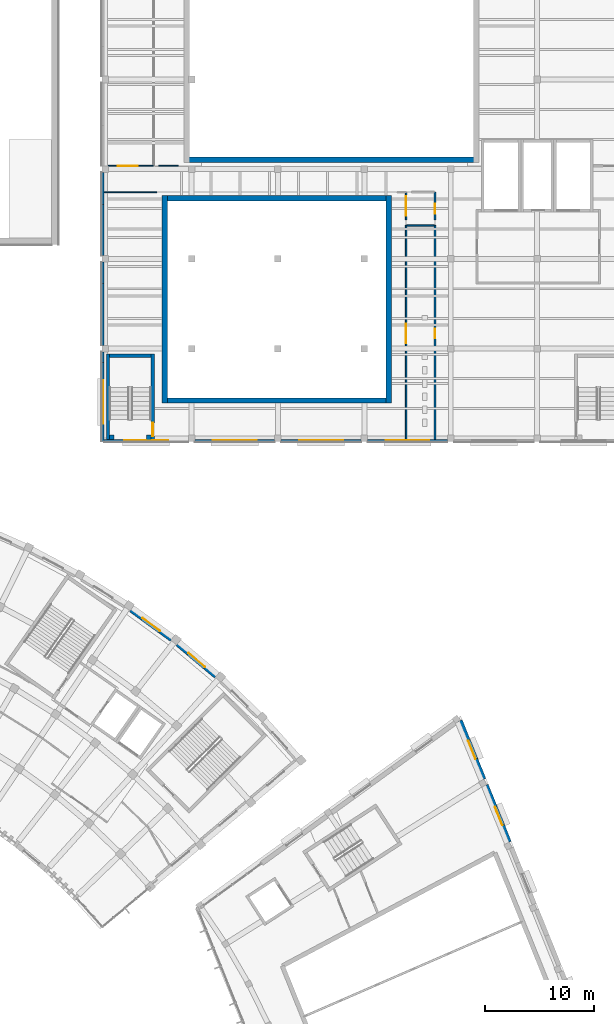
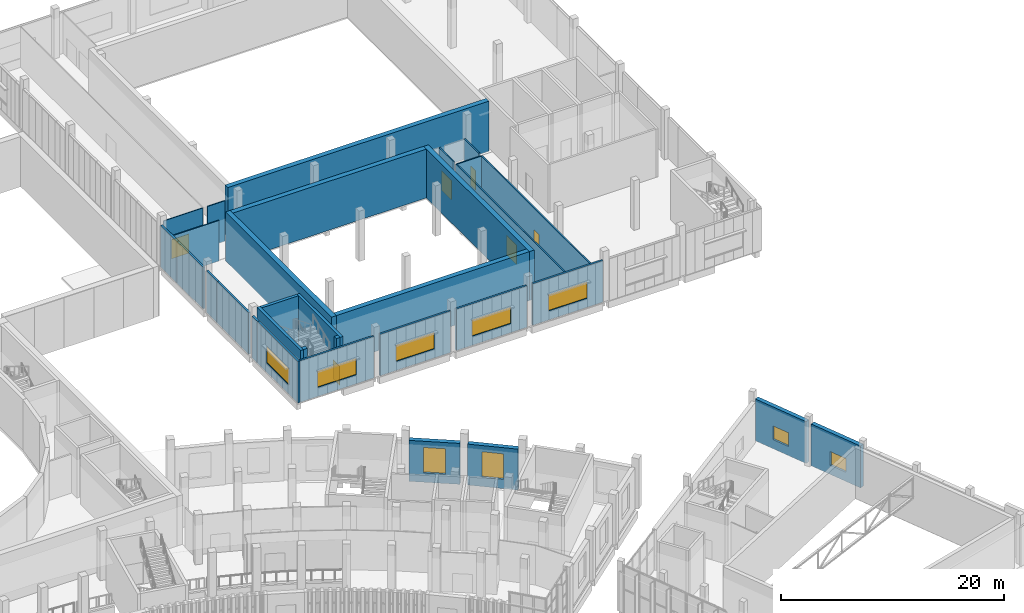
# One storey, part 63 of 112: 32 walls, 9 windows, 6 doors, 15 openings.
"""IFC4 building model written with IfcOpenShell, lengths in metres."""

from ifc_helpers import new_model, si_unit, direction, frame, frame_2d, origin, place, context, subcontext, project, spatial, rectangle, extrude, material, layer, layer_set, type_object, element, fill, save


model = new_model("IFC4")

# Units and contexts
model_context = context("Model", 3, precision=1e-05, world=origin(), true_north=direction((0.0, 1.0)))
body_context = subcontext(model_context, "Body", "Model", "MODEL_VIEW")
ifc_project = project(units=[si_unit("LENGTHUNIT", "METRE"), si_unit("AREAUNIT", "SQUARE_METRE"), si_unit("VOLUMEUNIT", "CUBIC_METRE"), si_unit("PLANEANGLEUNIT", "RADIAN"), si_unit("MASSUNIT", "GRAM", prefix="KILO")], contexts=[model_context])

# Site, building, storey
site_placement = place(None, origin())
site = spatial("IfcSite", under=ifc_project, at=site_placement, CompositionType="ELEMENT")
building_placement = place(site_placement, origin())
building = spatial("IfcBuilding", under=site, at=building_placement, Name="Lunette Opera House", CompositionType="ELEMENT")
storey_placement = place(building_placement, frame((0.0, 0.0, 6.0)))
storey = spatial("IfcBuildingStorey", under=building, at=storey_placement, Name="L01", CompositionType="ELEMENT", Elevation=6.0)

# Wall, opening, window
ifc_material_1 = material(Name="Clinker brick", Category="masonry")
ifc_layer_1 = layer(ifc_material_1, 0.449951171875)
ifc_layer_set_1 = layer_set([ifc_layer_1], Name="Clinker brick")
wall_type_1 = type_object("IfcWallType", Name="ARM RAIN SCREEN WALL 450", PredefinedType="SOLIDWALL", material=ifc_layer_set_1)
wall_1_placement = place(storey_placement, frame((138.656005859375, 62.614013671875, 0.0), z_axis=(0.0, 0.0, 1.0), x_axis=(0.809175321394, -0.587567272104, 0.0)))
wall_1 = element("IfcWall", 1, at=wall_1_placement, inside=storey, type_object=wall_type_1, Name="Arm Rain Screen Wall 450 BW-CE05 L01", PredefinedType="SOLIDWALL", context=body_context, shape_type="SweptSolid", body=[
    extrude(rectangle(XDim=4.58837890625, YDim=0.449951171875, at=frame_2d((2.294189453125, 0.0))), origin(), (0.0, 0.0, 1.0), 4.47998046875),
])
opening_1_placement = place(wall_1_placement, frame((1.2939453125, 0.0, 1.0)))
opening_1 = element("IfcOpeningElement", 2, at=opening_1_placement, cuts=wall_1, Name="Opening FC-N2159", PredefinedType="OPENING", context=body_context, shape_type="SweptSolid", body=[
    extrude(rectangle(XDim=2.0, YDim=2.800048828125, at=frame_2d((1.0, 1.39990234375))), frame((0.0, 0.237060546875, 0.0), z_axis=(0.0, -1.0, 0.0), x_axis=(1.0, 0.0, 0.0)), (0.0, 0.0, 1.0), 0.473876953125),
])
ifc_material_2 = material(Name="Aluminium", Category="aluminium")
window_type_1 = type_object("IfcWindowType", Name="ARM WINDOW 2000 X 2800", PartitioningType="DOUBLE_PANEL_VERTICAL", PredefinedType="WINDOW", material=ifc_material_2)
window_1_placement = place(opening_1_placement, origin())
window_1 = element("IfcWindow", 3, at=window_1_placement, inside=storey, type_object=window_type_1, Name="Arm Window 2000 X 2800 BW-CE05 L01", OverallHeight=2.800048828125, OverallWidth=2.0, PartitioningType="DOUBLE_PANEL_VERTICAL", PredefinedType="WINDOW", context=body_context, shape_type="SweptSolid", body=[
    extrude(rectangle(XDim=2.0, YDim=2.800048828125, at=frame_2d((1.0, 1.39990234375))), frame((0.0, 0.030029296875, 0.0), z_axis=(0.0, -1.0, 0.0), x_axis=(1.0, 0.0, 0.0)), (0.0, 0.0, 1.0), 0.06005859375),
])
fill(opening_1, window_1)

wall_2_placement = place(storey_placement, frame((142.919921875, 59.487060546875, 0.0), z_axis=(0.0, 0.0, 1.0), x_axis=(0.76600138663, -0.642838918922, 0.0)))
wall_2 = element("IfcWall", 4, at=wall_2_placement, inside=storey, type_object=wall_type_1, Name="Arm Rain Screen Wall 450 BW-CE06 L01", PredefinedType="SOLIDWALL", context=body_context, shape_type="SweptSolid", body=[
    extrude(rectangle(XDim=4.5888671875, YDim=0.449951171875, at=frame_2d((2.29443359375, 0.0))), origin(), (0.0, 0.0, 1.0), 4.47998046875),
])
opening_2_placement = place(wall_2_placement, frame((1.2939453125, 0.0, 1.0)))
opening_2 = element("IfcOpeningElement", 5, at=opening_2_placement, cuts=wall_2, Name="Opening FC-N2164", PredefinedType="OPENING", context=body_context, shape_type="SweptSolid", body=[
    extrude(rectangle(XDim=2.0, YDim=2.800048828125, at=frame_2d((1.0, 1.39990234375))), frame((0.0, 0.237060546875, 0.0), z_axis=(0.0, -1.0, 0.0), x_axis=(1.0, 0.0, 0.0)), (0.0, 0.0, 1.0), 0.473876953125),
])
window_2_placement = place(opening_2_placement, origin())
window_2 = element("IfcWindow", 6, at=window_2_placement, inside=storey, type_object=window_type_1, Name="Arm Window 2000 X 2800 BW-CE06 L01", OverallHeight=2.800048828125, OverallWidth=2.0, PartitioningType="DOUBLE_PANEL_VERTICAL", PredefinedType="WINDOW", context=body_context, shape_type="SweptSolid", body=[
    extrude(rectangle(XDim=2.0, YDim=2.800048828125, at=frame_2d((1.0, 1.39990234375))), frame((0.0, 0.030029296875, 0.0), z_axis=(0.0, -1.0, 0.0), x_axis=(1.0, 0.0, 0.0)), (0.0, 0.0, 1.0), 0.06005859375),
])
fill(opening_2, window_2)

# Wall, opening, door
ifc_material_3 = material(Name="Plastered clay blockwork", Category="masonry")
ifc_layer_2 = layer(ifc_material_3, 0.14990234375)
ifc_layer_set_2 = layer_set([ifc_layer_2], Name="Plastered clay blockwork")
wall_type_2 = type_object("IfcWallType", Name="BLOCK PARTITION 150", PredefinedType="PARTITIONING", material=ifc_layer_set_2)
wall_3_placement = place(storey_placement, frame((163.822021484375, 97.760009765625, 0.0), z_axis=(0.0, 0.0, 1.0), x_axis=(0.0, -1.0, 0.0)))
wall_3 = element("IfcWall", 7, at=wall_3_placement, inside=storey, type_object=wall_type_2, Name="Partition Workshop WC L01", PredefinedType="PARTITIONING", context=body_context, shape_type="SweptSolid", body=[
    extrude(rectangle(XDim=19.56005859375, YDim=0.14990234375, at=frame_2d((9.780029296875, 0.0))), origin(), (0.0, 0.0, 1.0), 4.449951171875),
])
opening_3_placement = place(wall_3_placement, frame((8.97998046875, 0.0, 0.0)))
opening_3 = element("IfcOpeningElement", 8, at=opening_3_placement, cuts=wall_3, Name="Opening WW-D3027", PredefinedType="OPENING", context=body_context, shape_type="SweptSolid", body=[
    extrude(rectangle(XDim=1.800048828125, YDim=2.10009765625, at=frame_2d((0.89990234375, 1.050048828125))), frame((0.0, 0.0869140625, 0.0), z_axis=(0.0, -1.0, 0.0), x_axis=(1.0, 0.0, 0.0)), (0.0, 0.0, 1.0), 0.173828125),
])
ifc_material_4 = material(Name="Timber", Category="wood")
door_type_1 = type_object("IfcDoorType", Name="DOUBLE FLUSH DOOR 1800 X 2100", OperationType="DOUBLE_DOOR_SINGLE_SWING", PredefinedType="DOOR", material=ifc_material_4)
door_1_placement = place(opening_3_placement, origin())
door_1 = element("IfcDoor", 9, at=door_1_placement, inside=storey, type_object=door_type_1, Name="Scenery Design Studio door", OperationType="DOUBLE_DOOR_SINGLE_SWING", OverallHeight=2.10009765625, OverallWidth=1.800048828125, PredefinedType="DOOR", context=body_context, shape_type="SweptSolid", body=[
    extrude(rectangle(XDim=1.800048828125, YDim=2.10009765625, at=frame_2d((0.89990234375, 1.050048828125))), frame((0.0, 0.02490234375, 0.0), z_axis=(0.0, -1.0, 0.0), x_axis=(1.0, 0.0, 0.0)), (0.0, 0.0, 1.0), 0.050048828125),
])
fill(opening_3, door_1)

wall_4_placement = place(storey_placement, frame((166.4541015625, 78.199951171875, 0.0), z_axis=(0.0, 0.0, 1.0), x_axis=(0.0, 1.0, 0.0)))
wall_4 = element("IfcWall", 10, at=wall_4_placement, inside=storey, type_object=wall_type_2, Name="Partition Workshop WC L01", PredefinedType="PARTITIONING", context=body_context, shape_type="SweptSolid", body=[
    extrude(rectangle(XDim=19.56005859375, YDim=0.14990234375, at=frame_2d((9.780029296875, 0.0))), origin(), (0.0, 0.0, 1.0), 4.449951171875),
])
opening_4_placement = place(wall_4_placement, frame((9.22998046875, 0.0, 0.0)))
opening_4 = element("IfcOpeningElement", 11, at=opening_4_placement, cuts=wall_4, Name="Opening WW-D3031", PredefinedType="OPENING", context=body_context, shape_type="SweptSolid", body=[
    extrude(rectangle(XDim=0.89990234375, YDim=2.10009765625, at=frame_2d((0.449951171875, 1.050048828125))), frame((0.0, 0.0869140625, 0.0), z_axis=(0.0, -1.0, 0.0), x_axis=(1.0, 0.0, 0.0)), (0.0, 0.0, 1.0), 0.173828125),
])
ifc_material_5 = material(Name="Timber", Category="wood")
door_type_2 = type_object("IfcDoorType", Name="FLUSH DOOR 900 X 2100", OperationType="SINGLE_SWING_LEFT", PredefinedType="DOOR", material=ifc_material_5)
door_2_placement = place(opening_4_placement, origin())
door_2 = element("IfcDoor", 12, at=door_2_placement, inside=storey, type_object=door_type_2, Name="Workshop WC L01 door", OperationType="SINGLE_SWING_LEFT", OverallHeight=2.10009765625, OverallWidth=0.89990234375, PredefinedType="DOOR", context=body_context, shape_type="SweptSolid", body=[
    extrude(rectangle(XDim=0.89990234375, YDim=2.10009765625, at=frame_2d((0.449951171875, 1.050048828125))), frame((0.0, 0.02490234375, 0.0), z_axis=(0.0, -1.0, 0.0), x_axis=(1.0, 0.0, 0.0)), (0.0, 0.0, 1.0), 0.050048828125),
])
fill(opening_4, door_2)

wall_5_placement = place(storey_placement, frame((163.822021484375, 100.7490234375, 0.0), z_axis=(0.0, 0.0, 1.0), x_axis=(0.0, -1.0, 0.0)))
wall_5 = element("IfcWall", 13, at=wall_5_placement, inside=storey, type_object=wall_type_2, Name="Partition Accessible WC L01 Workshop", PredefinedType="PARTITIONING", context=body_context, shape_type="SweptSolid", body=[
    extrude(rectangle(XDim=2.489013671875, YDim=0.14990234375, at=frame_2d((1.24462890625, 0.0))), origin(), (0.0, 0.0, 1.0), 4.449951171875),
])
opening_5_placement = place(wall_5_placement, frame((0.319091796875, 0.0, 0.0)))
opening_5 = element("IfcOpeningElement", 14, at=opening_5_placement, cuts=wall_5, Name="Opening WW-D3028", PredefinedType="OPENING", context=body_context, shape_type="SweptSolid", body=[
    extrude(rectangle(XDim=1.800048828125, YDim=2.10009765625, at=frame_2d((0.89990234375, 1.050048828125))), frame((0.0, 0.0869140625, 0.0), z_axis=(0.0, -1.0, 0.0), x_axis=(1.0, 0.0, 0.0)), (0.0, 0.0, 1.0), 0.173828125),
])
door_3_placement = place(opening_5_placement, origin())
door_3 = element("IfcDoor", 15, at=door_3_placement, inside=storey, type_object=door_type_1, Name="Scenery Design Studio door", OperationType="DOUBLE_DOOR_SINGLE_SWING", OverallHeight=2.10009765625, OverallWidth=1.800048828125, PredefinedType="DOOR", context=body_context, shape_type="SweptSolid", body=[
    extrude(rectangle(XDim=1.800048828125, YDim=2.10009765625, at=frame_2d((0.89990234375, 1.050048828125))), frame((0.0, 0.02490234375, 0.0), z_axis=(0.0, -1.0, 0.0), x_axis=(1.0, 0.0, 0.0)), (0.0, 0.0, 1.0), 0.050048828125),
])
fill(opening_5, door_3)

wall_6_placement = place(storey_placement, frame((166.4541015625, 98.260009765625, 0.0), z_axis=(0.0, 0.0, 1.0), x_axis=(0.0, 1.0, 0.0)))
wall_6 = element("IfcWall", 16, at=wall_6_placement, inside=storey, type_object=wall_type_2, Name="Partition Accessible WC L01 Workshop", PredefinedType="PARTITIONING", context=body_context, shape_type="SweptSolid", body=[
    extrude(rectangle(XDim=2.5400390625, YDim=0.14990234375, at=frame_2d((1.27001953125, 0.0))), origin(), (0.0, 0.0, 1.0), 4.449951171875),
])
opening_6_placement = place(wall_6_placement, frame((0.570068359375, 0.0, 0.0)))
opening_6 = element("IfcOpeningElement", 17, at=opening_6_placement, cuts=wall_6, Name="Opening WW-D3032", PredefinedType="OPENING", context=body_context, shape_type="SweptSolid", body=[
    extrude(rectangle(XDim=0.89990234375, YDim=2.10009765625, at=frame_2d((0.449951171875, 1.050048828125))), frame((0.0, 0.0869140625, 0.0), z_axis=(0.0, -1.0, 0.0), x_axis=(1.0, 0.0, 0.0)), (0.0, 0.0, 1.0), 0.173828125),
])
door_4_placement = place(opening_6_placement, origin())
door_4 = element("IfcDoor", 18, at=door_4_placement, inside=storey, type_object=door_type_2, Name="Accessible WC L01 Workshop door", OperationType="SINGLE_SWING_LEFT", OverallHeight=2.10009765625, OverallWidth=0.89990234375, PredefinedType="DOOR", context=body_context, shape_type="SweptSolid", body=[
    extrude(rectangle(XDim=0.89990234375, YDim=2.10009765625, at=frame_2d((0.449951171875, 1.050048828125))), frame((0.0, 0.02490234375, 0.0), z_axis=(0.0, -1.0, 0.0), x_axis=(1.0, 0.0, 0.0)), (0.0, 0.0, 1.0), 0.050048828125),
])
fill(opening_6, door_4)

# Walls
wall_7_placement = place(storey_placement, frame((166.37890625, 97.760009765625, 0.0), z_axis=(0.0, 0.0, 1.0), x_axis=(-1.0, 0.0, 0.0)))
element("IfcWall", 19, at=wall_7_placement, inside=storey, type_object=wall_type_2, Name="Partition Workshop WC L01", PredefinedType="PARTITIONING", context=body_context, shape_type="SweptSolid", body=[
    extrude(rectangle(XDim=2.48193359375, YDim=0.14990234375, at=frame_2d((1.240966796875, 0.0))), origin(), (0.0, 0.0, 1.0), 4.449951171875),
])
ifc_material_6 = material(Name="Concrete C35/45", Category="concrete")
ifc_layer_3 = layer(ifc_material_6, 0.39990234375)
ifc_layer_set_3 = layer_set([ifc_layer_3], Name="Concrete C35/45")
wall_type_3 = type_object("IfcWallType", Name="RC PILASTER 400", PredefinedType="SOLIDWALL", material=ifc_layer_set_3)
wall_8_placement = place(storey_placement, frame((136.699951171875, 78.39990234375, 0.0), z_axis=(0.0, 0.0, 1.0), x_axis=(1.0, 0.0, 0.0)))
element("IfcWall", 20, at=wall_8_placement, inside=storey, type_object=wall_type_3, Name="ST18 pilaster 1", PredefinedType="SOLIDWALL", context=body_context, shape_type="SweptSolid", body=[
    extrude(rectangle(XDim=0.400146484375, YDim=0.39990234375, at=frame_2d((0.2001953125, 0.0))), origin(), (0.0, 0.0, 1.0), 5.5),
])
wall_9_placement = place(storey_placement, frame((140.10009765625, 78.39990234375, 0.0), z_axis=(0.0, 0.0, 1.0), x_axis=(1.0, 0.0, 0.0)))
element("IfcWall", 21, at=wall_9_placement, inside=storey, type_object=wall_type_3, Name="ST18 pilaster 2", PredefinedType="SOLIDWALL", context=body_context, shape_type="SweptSolid", body=[
    extrude(rectangle(XDim=0.39990234375, YDim=0.39990234375, at=frame_2d((0.199951171875, 0.0))), origin(), (0.0, 0.0, 1.0), 5.5),
])

# Wall, opening, door
ifc_material_7 = material(Name="Concrete C35/45", Category="concrete")
ifc_layer_4 = layer(ifc_material_7, 0.300048828125)
ifc_layer_set_4 = layer_set([ifc_layer_4], Name="Concrete C35/45")
wall_type_4 = type_object("IfcWallType", Name="RC STAIR ENCLOSURE WALL 300", PredefinedType="SOLIDWALL", material=ifc_layer_set_4)
wall_10_placement = place(storey_placement, frame((140.64990234375, 78.199951171875, 0.0), z_axis=(0.0, 0.0, 1.0), x_axis=(0.0, 1.0, 0.0)))
wall_10 = element("IfcWall", 22, at=wall_10_placement, inside=storey, type_object=wall_type_4, Name="ST18 enclosure wall 1", PredefinedType="SOLIDWALL", context=body_context, shape_type="SweptSolid", body=[
    extrude(rectangle(XDim=7.800048828125, YDim=0.300048828125, at=frame_2d((3.89990234375, 0.0))), origin(), (0.0, 0.0, 1.0), 5.5),
])
opening_7_placement = place(wall_10_placement, frame((0.300048828125, 0.0, 0.0)))
opening_7 = element("IfcOpeningElement", 23, at=opening_7_placement, cuts=wall_10, Name="Opening WW-D7003", PredefinedType="OPENING", context=body_context, shape_type="SweptSolid", body=[
    extrude(rectangle(XDim=1.199951171875, YDim=2.10009765625, at=frame_2d((0.60009765625, 1.050048828125))), frame((0.0, 0.162109375, 0.0), z_axis=(0.0, -1.0, 0.0), x_axis=(1.0, 0.0, 0.0)), (0.0, 0.0, 1.0), 0.323974609375),
])
ifc_material_8 = material(Name="Steel", Category="steel")
door_type_3 = type_object("IfcDoorType", Name="FIRE DOOR 1200 X 2100", OperationType="SINGLE_SWING_LEFT", PredefinedType="DOOR", material=ifc_material_8)
door_5_placement = place(opening_7_placement, origin())
door_5 = element("IfcDoor", 24, at=door_5_placement, inside=storey, type_object=door_type_3, Name="ST18 stair door", OperationType="SINGLE_SWING_LEFT", OverallHeight=2.10009765625, OverallWidth=1.199951171875, PredefinedType="DOOR", context=body_context, shape_type="SweptSolid", body=[
    extrude(rectangle(XDim=1.199951171875, YDim=2.10009765625, at=frame_2d((0.60009765625, 1.050048828125))), frame((0.0, 0.02490234375, 0.0), z_axis=(0.0, -1.0, 0.0), x_axis=(1.0, 0.0, 0.0)), (0.0, 0.0, 1.0), 0.050048828125),
])
fill(opening_7, door_5)

# Walls
wall_11_placement = place(storey_placement, frame((140.5, 85.85009765625, 0.0), z_axis=(0.0, 0.0, 1.0), x_axis=(-1.0, 0.0, 0.0)))
element("IfcWall", 25, at=wall_11_placement, inside=storey, type_object=wall_type_4, Name="ST18 enclosure wall 2", PredefinedType="SOLIDWALL", context=body_context, shape_type="SweptSolid", body=[
    extrude(rectangle(XDim=3.800048828125, YDim=0.300048828125, at=frame_2d((1.89990234375, 0.0))), origin(), (0.0, 0.0, 1.0), 5.5),
])
wall_12_placement = place(storey_placement, frame((136.550048828125, 86.0, 0.0), z_axis=(0.0, 0.0, 1.0), x_axis=(0.0, -1.0, 0.0)))
element("IfcWall", 26, at=wall_12_placement, inside=storey, type_object=wall_type_4, Name="ST18 enclosure wall 3", PredefinedType="SOLIDWALL", context=body_context, shape_type="SweptSolid", body=[
    extrude(rectangle(XDim=7.800048828125, YDim=0.300048828125, at=frame_2d((3.89990234375, 0.0))), origin(), (0.0, 0.0, 1.0), 5.5),
])
ifc_material_9 = material(Name="Concrete C35/45", Category="concrete")
ifc_layer_5 = layer(ifc_material_9, 0.5)
ifc_layer_set_5 = layer_set([ifc_layer_5], Name="Concrete C35/45")
wall_type_5 = type_object("IfcWallType", Name="RC WALL 500", PredefinedType="SHEAR", material=ifc_layer_set_5)
for number, where, z_axis, x_axis, name in (
    (27, (141.5, 81.75, 0.0), (0.0, 0.0, 1.0), (1.0, 0.0, 0.0), "wall-WW-L01-CP-S-1"),
    (28, (141.5, 100.25, 0.0), (0.0, 0.0, 1.0), (1.0, 0.0, 0.0), "wall-WW-L01-CP-N-1"),
):
    element("IfcWall", number, at=place(storey_placement, frame(where, z_axis=z_axis, x_axis=x_axis)), inside=storey, type_object=wall_type_5, Name=name, PredefinedType="SHEAR", context=body_context, shape_type="SweptSolid", body=[
        extrude(rectangle(XDim=21.0, YDim=0.5, at=frame_2d((10.5, 0.0))), origin(), (0.0, 0.0, 1.0), 5.35009765625),
    ])
for number, where, z_axis, x_axis, name in (
    (29, (141.75, 81.5, 0.0), (0.0, 0.0, 1.0), (0.0, 1.0, 0.0), "wall-WW-L01-CP-W-1"),
    (30, (162.25, 81.5, 0.0), (0.0, 0.0, 1.0), (0.0, 1.0, 0.0), "wall-WW-L01-CP-E-1"),
):
    element("IfcWall", number, at=place(storey_placement, frame(where, z_axis=z_axis, x_axis=x_axis)), inside=storey, type_object=wall_type_5, Name=name, PredefinedType="SHEAR", context=body_context, shape_type="SweptSolid", body=[
        extrude(rectangle(XDim=19.0, YDim=0.5, at=frame_2d((9.5, 0.0))), origin(), (0.0, 0.0, 1.0), 5.35009765625),
    ])
wall_13_placement = place(storey_placement, frame((143.5, 103.75, 0.0), z_axis=(0.0, 0.0, 1.0), x_axis=(1.0, 0.0, 0.0)))
element("IfcWall", 31, at=wall_13_placement, inside=storey, type_object=wall_type_5, Name="wall-WW-L01-PH-S-1", PredefinedType="SHEAR", context=body_context, shape_type="SweptSolid", body=[
    extrude(rectangle(XDim=27.0, YDim=0.5, at=frame_2d((13.5, 0.0))), origin(), (0.0, 0.0, 1.0), 5.5),
])
ifc_material_10 = material(Name="Gypsum board on steel studs", Category="steel")
ifc_layer_6 = layer(ifc_material_10, 0.10009765625)
ifc_layer_set_6 = layer_set([ifc_layer_6], Name="Gypsum board on steel studs")
wall_type_6 = type_object("IfcWallType", Name="STUD PARTITION 100", PredefinedType="PARTITIONING", material=ifc_layer_set_6)
wall_14_placement = place(storey_placement, frame((136.199951171875, 100.800048828125, 0.0), z_axis=(0.0, 0.0, 1.0), x_axis=(1.0, 0.0, 0.0)))
element("IfcWall", 32, at=wall_14_placement, inside=storey, type_object=wall_type_6, Name="Partition Corridor L01 Workshop", PredefinedType="PARTITIONING", context=body_context, shape_type="SweptSolid", body=[
    extrude(rectangle(XDim=4.800048828125, YDim=0.10009765625, at=frame_2d((2.39990234375, 0.0))), origin(), (0.0, 0.0, 1.0), 4.449951171875),
])

# Wall, opening, door
wall_15_placement = place(storey_placement, frame((140.69091796875, 103.199951171875, 0.0), z_axis=(0.0, 0.0, 1.0), x_axis=(-1.0, 0.0, 0.0)))
wall_15 = element("IfcWall", 33, at=wall_15_placement, inside=storey, type_object=wall_type_6, Name="Partition Corridor L01 Workshop", PredefinedType="PARTITIONING", context=body_context, shape_type="SweptSolid", body=[
    extrude(rectangle(XDim=4.08984375, YDim=0.10009765625, at=frame_2d((2.044921875, 0.0))), origin(), (0.0, 0.0, 1.0), 4.449951171875),
])
opening_8_placement = place(wall_15_placement, frame((1.419921875, 0.0, 0.0)))
opening_8 = element("IfcOpeningElement", 34, at=opening_8_placement, cuts=wall_15, Name="Opening WW-D3022", PredefinedType="OPENING", context=body_context, shape_type="SweptSolid", body=[
    extrude(rectangle(XDim=1.800048828125, YDim=2.10009765625, at=frame_2d((0.89990234375, 1.050048828125))), frame((0.0, 0.06201171875, 0.0), z_axis=(0.0, -1.0, 0.0), x_axis=(1.0, 0.0, 0.0)), (0.0, 0.0, 1.0), 0.1240234375),
])
door_6_placement = place(opening_8_placement, origin())
door_6 = element("IfcDoor", 35, at=door_6_placement, inside=storey, type_object=door_type_1, Name="Costume Workshop Millinery door", OperationType="DOUBLE_DOOR_SINGLE_SWING", OverallHeight=2.10009765625, OverallWidth=1.800048828125, PredefinedType="DOOR", context=body_context, shape_type="SweptSolid", body=[
    extrude(rectangle(XDim=1.800048828125, YDim=2.10009765625, at=frame_2d((0.89990234375, 1.050048828125))), frame((0.0, 0.02490234375, 0.0), z_axis=(0.0, -1.0, 0.0), x_axis=(1.0, 0.0, 0.0)), (0.0, 0.0, 1.0), 0.050048828125),
])
fill(opening_8, door_6)

# Wall
wall_16_placement = place(storey_placement, frame((143.0, 103.199951171875, 0.0), z_axis=(0.0, 0.0, 1.0), x_axis=(-1.0, 0.0, 0.0)))
element("IfcWall", 36, at=wall_16_placement, inside=storey, type_object=wall_type_6, Name="Partition Corridor L01 Workshop", PredefinedType="PARTITIONING", context=body_context, shape_type="SweptSolid", body=[
    extrude(rectangle(XDim=1.80908203125, YDim=0.10009765625, at=frame_2d((0.904541015625, 0.0))), origin(), (0.0, 0.0, 1.0), 4.449951171875),
])

# Wall, opening, window
ifc_material_11 = material(Name="Clinker brick", Category="masonry")
ifc_layer_7 = layer(ifc_material_11, 0.419921875)
ifc_layer_set_7 = layer_set([ifc_layer_7], Name="Clinker brick")
wall_type_7 = type_object("IfcWallType", Name="STUDIO BRICK WALL 420", PredefinedType="SOLIDWALL", material=ifc_layer_set_7)
wall_17_placement = place(storey_placement, frame((173.239990234375, 41.381103515625, 0.0), z_axis=(0.0, 0.0, 1.0), x_axis=(-0.374669966745, 0.927158247561, 0.0)))
wall_17 = element("IfcWall", 37, at=wall_17_placement, inside=storey, type_object=wall_type_7, Name="Studio Brick Wall 420 F17-2 L01", PredefinedType="SOLIDWALL", context=body_context, shape_type="SweptSolid", body=[
    extrude(rectangle(XDim=5.6181640625, YDim=0.419921875, at=frame_2d((2.80908203125, 0.0))), origin(), (0.0, 0.0, 1.0), 4.580078125),
])
opening_9_placement = place(wall_17_placement, frame((1.656005859375, 0.0, 1.0)))
opening_9 = element("IfcOpeningElement", 38, at=opening_9_placement, cuts=wall_17, Name="Opening SB-N2011", PredefinedType="OPENING", context=body_context, shape_type="SweptSolid", body=[
    extrude(rectangle(XDim=1.800048828125, YDim=1.5, at=frame_2d((0.89990234375, 0.75))), frame((0.0, 0.221923828125, 0.0), z_axis=(0.0, -1.0, 0.0), x_axis=(1.0, 0.0, 0.0)), (0.0, 0.0, 1.0), 0.44384765625),
])
ifc_material_12 = material(Name="Aluminium", Category="aluminium")
window_type_2 = type_object("IfcWindowType", Name="STUDIO WINDOW 1800 X 1500", PartitioningType="DOUBLE_PANEL_VERTICAL", PredefinedType="WINDOW", material=ifc_material_12)
window_3_placement = place(opening_9_placement, origin())
window_3 = element("IfcWindow", 39, at=window_3_placement, inside=storey, type_object=window_type_2, Name="Studio Window 1800 X 1500 F17-2 L01", OverallHeight=1.5, OverallWidth=1.800048828125, PartitioningType="DOUBLE_PANEL_VERTICAL", PredefinedType="WINDOW", context=body_context, shape_type="SweptSolid", body=[
    extrude(rectangle(XDim=1.800048828125, YDim=1.5, at=frame_2d((0.89990234375, 0.75))), frame((0.0, 0.030029296875, 0.0), z_axis=(0.0, -1.0, 0.0), x_axis=(1.0, 0.0, 0.0)), (0.0, 0.0, 1.0), 0.06005859375),
])
fill(opening_9, window_3)

wall_18_placement = place(storey_placement, frame((170.9208984375, 47.1201171875, 0.0), z_axis=(0.0, 0.0, 1.0), x_axis=(-0.374587433277, 0.927191595535, 0.0)))
wall_18 = element("IfcWall", 40, at=wall_18_placement, inside=storey, type_object=wall_type_7, Name="Studio Brick Wall 420 F18 L01", PredefinedType="SOLIDWALL", context=body_context, shape_type="SweptSolid", body=[
    extrude(rectangle(XDim=5.776611328125, YDim=0.419921875, at=frame_2d((2.88818359375, 0.0))), origin(), (0.0, 0.0, 1.0), 4.580078125),
])
opening_10_placement = place(wall_18_placement, frame((1.988037109375, 0.0, 1.0)))
opening_10 = element("IfcOpeningElement", 41, at=opening_10_placement, cuts=wall_18, Name="Opening SB-N2012", PredefinedType="OPENING", context=body_context, shape_type="SweptSolid", body=[
    extrude(rectangle(XDim=1.800048828125, YDim=1.5, at=frame_2d((0.89990234375, 0.75))), frame((0.0, 0.221923828125, 0.0), z_axis=(0.0, -1.0, 0.0), x_axis=(1.0, 0.0, 0.0)), (0.0, 0.0, 1.0), 0.44384765625),
])
window_4_placement = place(opening_10_placement, origin())
window_4 = element("IfcWindow", 42, at=window_4_placement, inside=storey, type_object=window_type_2, Name="Studio Window 1800 X 1500 F18 L01", OverallHeight=1.5, OverallWidth=1.800048828125, PartitioningType="DOUBLE_PANEL_VERTICAL", PredefinedType="WINDOW", context=body_context, shape_type="SweptSolid", body=[
    extrude(rectangle(XDim=1.800048828125, YDim=1.5, at=frame_2d((0.89990234375, 0.75))), frame((0.0, 0.030029296875, 0.0), z_axis=(0.0, -1.0, 0.0), x_axis=(1.0, 0.0, 0.0)), (0.0, 0.0, 1.0), 0.06005859375),
])
fill(opening_10, window_4)

# Walls
ifc_material_13 = material(Name="Insulated aluminium sandwich panel", Category="aluminium")
ifc_layer_8 = layer(ifc_material_13, 0.199951171875)
ifc_layer_set_8 = layer_set([ifc_layer_8], Name="Insulated aluminium sandwich panel")
wall_type_8 = type_object("IfcWallType", Name="WORKSHOP METAL PANEL WALL 200", PredefinedType="SOLIDWALL", material=ifc_layer_set_8)
wall_19_placement = place(storey_placement, frame((136.10009765625, 102.60009765625, 0.0), z_axis=(0.0, 0.0, 1.0), x_axis=(0.0, -1.0, 0.0)))
element("IfcWall", 43, at=wall_19_placement, inside=storey, type_object=wall_type_8, Name="Workshop Metal Panel Wall 200 F19-2 L01", PredefinedType="SOLIDWALL", context=body_context, shape_type="SweptSolid", body=[
    extrude(rectangle(XDim=2.925048828125, YDim=0.199951171875, at=frame_2d((1.46240234375, 0.0))), origin(), (0.0, 0.0, 1.0), 4.550048828125),
])
wall_20_placement = place(storey_placement, frame((136.10009765625, 99.675048828125, 0.0), z_axis=(0.0, 0.0, 1.0), x_axis=(0.0, -1.0, 0.0)))
element("IfcWall", 44, at=wall_20_placement, inside=storey, type_object=wall_type_8, Name="Workshop Metal Panel Wall 200 F20-1 L01", PredefinedType="SOLIDWALL", context=body_context, shape_type="SweptSolid", body=[
    extrude(rectangle(XDim=4.675048828125, YDim=0.199951171875, at=frame_2d((2.33740234375, 0.0))), origin(), (0.0, 0.0, 1.0), 4.550048828125),
])
wall_21_placement = place(storey_placement, frame((136.10009765625, 94.39990234375, 0.0), z_axis=(0.0, 0.0, 1.0), x_axis=(0.0, -1.0, 0.0)))
element("IfcWall", 45, at=wall_21_placement, inside=storey, type_object=wall_type_8, Name="Workshop Metal Panel Wall 200 F20-2 L01", PredefinedType="SOLIDWALL", context=body_context, shape_type="SweptSolid", body=[
    extrude(rectangle(XDim=1.949951171875, YDim=0.199951171875, at=frame_2d((0.97509765625, 0.0))), origin(), (0.0, 0.0, 1.0), 4.550048828125),
])
wall_22_placement = place(storey_placement, frame((136.10009765625, 92.449951171875, 0.0), z_axis=(0.0, 0.0, 1.0), x_axis=(0.0, -1.0, 0.0)))
element("IfcWall", 46, at=wall_22_placement, inside=storey, type_object=wall_type_8, Name="Workshop Metal Panel Wall 200 F21-1 L01", PredefinedType="SOLIDWALL", context=body_context, shape_type="SweptSolid", body=[
    extrude(rectangle(XDim=5.64990234375, YDim=0.199951171875, at=frame_2d((2.824951171875, 0.0))), origin(), (0.0, 0.0, 1.0), 4.550048828125),
])
wall_23_placement = place(storey_placement, frame((136.10009765625, 86.199951171875, 0.0), z_axis=(0.0, 0.0, 1.0), x_axis=(0.0, -1.0, 0.0)))
element("IfcWall", 47, at=wall_23_placement, inside=storey, type_object=wall_type_8, Name="Workshop Metal Panel Wall 200 F21-2 L01", PredefinedType="SOLIDWALL", context=body_context, shape_type="SweptSolid", body=[
    extrude(rectangle(XDim=0.974853515625, YDim=0.199951171875, at=frame_2d((0.4873046875, 0.0))), origin(), (0.0, 0.0, 1.0), 4.550048828125),
])

# Wall, opening, window
wall_24_placement = place(storey_placement, frame((136.10009765625, 85.22509765625, 0.0), z_axis=(0.0, 0.0, 1.0), x_axis=(0.0, -1.0, 0.0)))
wall_24 = element("IfcWall", 48, at=wall_24_placement, inside=storey, type_object=wall_type_8, Name="Workshop Metal Panel Wall 200 F22 L01", PredefinedType="SOLIDWALL", context=body_context, shape_type="SweptSolid", body=[
    extrude(rectangle(XDim=7.22509765625, YDim=0.199951171875, at=frame_2d((3.612548828125, 0.0))), origin(), (0.0, 0.0, 1.0), 4.550048828125),
])
opening_11_placement = place(wall_24_placement, frame((1.612060546875, 0.0, 1.0)))
opening_11 = element("IfcOpeningElement", 49, at=opening_11_placement, cuts=wall_24, Name="Opening WW-N2010", PredefinedType="OPENING", context=body_context, shape_type="SweptSolid", body=[
    extrude(rectangle(XDim=4.0, YDim=1.800048828125, at=frame_2d((2.0, 0.89990234375))), frame((0.0, 0.112060546875, 0.0), z_axis=(0.0, -1.0, 0.0), x_axis=(1.0, 0.0, 0.0)), (0.0, 0.0, 1.0), 0.223876953125),
])
ifc_material_14 = material(Name="Aluminium", Category="aluminium")
window_type_3 = type_object("IfcWindowType", Name="WORKSHOP RIBBON WINDOW 4000 X 1800", PartitioningType="DOUBLE_PANEL_VERTICAL", PredefinedType="WINDOW", material=ifc_material_14)
window_5_placement = place(opening_11_placement, origin())
window_5 = element("IfcWindow", 50, at=window_5_placement, inside=storey, type_object=window_type_3, Name="Workshop Ribbon Window 4000 X 1800 F22 L01", OverallHeight=1.800048828125, OverallWidth=4.0, PartitioningType="DOUBLE_PANEL_VERTICAL", PredefinedType="WINDOW", context=body_context, shape_type="SweptSolid", body=[
    extrude(rectangle(XDim=4.0, YDim=1.800048828125, at=frame_2d((2.0, 0.89990234375))), frame((0.0, 0.030029296875, 0.0), z_axis=(0.0, -1.0, 0.0), x_axis=(1.0, 0.0, 0.0)), (0.0, 0.0, 1.0), 0.06005859375),
])
fill(opening_11, window_5)

wall_25_placement = place(storey_placement, frame((136.199951171875, 78.10009765625, 0.0), z_axis=(0.0, 0.0, 1.0), x_axis=(1.0, 0.0, 0.0)))
wall_25 = element("IfcWall", 51, at=wall_25_placement, inside=storey, type_object=wall_type_8, Name="Workshop Metal Panel Wall 200 F23 L01", PredefinedType="SOLIDWALL", context=body_context, shape_type="SweptSolid", body=[
    extrude(rectangle(XDim=7.699951171875, YDim=0.199951171875, at=frame_2d((3.85009765625, 0.0))), origin(), (0.0, 0.0, 1.0), 4.550048828125),
])
opening_12_placement = place(wall_25_placement, frame((1.85009765625, 0.0, 1.0)))
opening_12 = element("IfcOpeningElement", 52, at=opening_12_placement, cuts=wall_25, Name="Opening WW-N2011", PredefinedType="OPENING", context=body_context, shape_type="SweptSolid", body=[
    extrude(rectangle(XDim=4.0, YDim=1.800048828125, at=frame_2d((2.0, 0.89990234375))), frame((0.0, 0.112060546875, 0.0), z_axis=(0.0, -1.0, 0.0), x_axis=(1.0, 0.0, 0.0)), (0.0, 0.0, 1.0), 0.223876953125),
])
window_6_placement = place(opening_12_placement, origin())
window_6 = element("IfcWindow", 53, at=window_6_placement, inside=storey, type_object=window_type_3, Name="Workshop Ribbon Window 4000 X 1800 F23 L01", OverallHeight=1.800048828125, OverallWidth=4.0, PartitioningType="DOUBLE_PANEL_VERTICAL", PredefinedType="WINDOW", context=body_context, shape_type="SweptSolid", body=[
    extrude(rectangle(XDim=4.0, YDim=1.800048828125, at=frame_2d((2.0, 0.89990234375))), frame((0.0, 0.030029296875, 0.0), z_axis=(0.0, -1.0, 0.0), x_axis=(1.0, 0.0, 0.0)), (0.0, 0.0, 1.0), 0.06005859375),
])
fill(opening_12, window_6)

wall_26_placement = place(storey_placement, frame((144.5, 78.10009765625, 0.0), z_axis=(0.0, 0.0, 1.0), x_axis=(1.0, 0.0, 0.0)))
wall_26 = element("IfcWall", 54, at=wall_26_placement, inside=storey, type_object=wall_type_8, Name="Workshop Metal Panel Wall 200 F24 L01", PredefinedType="SOLIDWALL", context=body_context, shape_type="SweptSolid", body=[
    extrude(rectangle(XDim=7.300048828125, YDim=0.199951171875, at=frame_2d((3.64990234375, 0.0))), origin(), (0.0, 0.0, 1.0), 4.550048828125),
])
opening_13_placement = place(wall_26_placement, frame((1.64990234375, 0.0, 1.0)))
opening_13 = element("IfcOpeningElement", 55, at=opening_13_placement, cuts=wall_26, Name="Opening WW-N2012", PredefinedType="OPENING", context=body_context, shape_type="SweptSolid", body=[
    extrude(rectangle(XDim=4.0, YDim=1.800048828125, at=frame_2d((2.0, 0.89990234375))), frame((0.0, 0.112060546875, 0.0), z_axis=(0.0, -1.0, 0.0), x_axis=(1.0, 0.0, 0.0)), (0.0, 0.0, 1.0), 0.223876953125),
])
window_7_placement = place(opening_13_placement, origin())
window_7 = element("IfcWindow", 56, at=window_7_placement, inside=storey, type_object=window_type_3, Name="Workshop Ribbon Window 4000 X 1800 F24 L01", OverallHeight=1.800048828125, OverallWidth=4.0, PartitioningType="DOUBLE_PANEL_VERTICAL", PredefinedType="WINDOW", context=body_context, shape_type="SweptSolid", body=[
    extrude(rectangle(XDim=4.0, YDim=1.800048828125, at=frame_2d((2.0, 0.89990234375))), frame((0.0, 0.030029296875, 0.0), z_axis=(0.0, -1.0, 0.0), x_axis=(1.0, 0.0, 0.0)), (0.0, 0.0, 1.0), 0.06005859375),
])
fill(opening_13, window_7)

wall_27_placement = place(storey_placement, frame((152.39990234375, 78.10009765625, 0.0), z_axis=(0.0, 0.0, 1.0), x_axis=(1.0, 0.0, 0.0)))
wall_27 = element("IfcWall", 57, at=wall_27_placement, inside=storey, type_object=wall_type_8, Name="Workshop Metal Panel Wall 200 F25 L01", PredefinedType="SOLIDWALL", context=body_context, shape_type="SweptSolid", body=[
    extrude(rectangle(XDim=7.300048828125, YDim=0.199951171875, at=frame_2d((3.64990234375, 0.0))), origin(), (0.0, 0.0, 1.0), 4.550048828125),
])
opening_14_placement = place(wall_27_placement, frame((1.64990234375, 0.0, 1.0)))
opening_14 = element("IfcOpeningElement", 58, at=opening_14_placement, cuts=wall_27, Name="Opening WW-N2013", PredefinedType="OPENING", context=body_context, shape_type="SweptSolid", body=[
    extrude(rectangle(XDim=4.0, YDim=1.800048828125, at=frame_2d((2.0, 0.89990234375))), frame((0.0, 0.112060546875, 0.0), z_axis=(0.0, -1.0, 0.0), x_axis=(1.0, 0.0, 0.0)), (0.0, 0.0, 1.0), 0.223876953125),
])
window_8_placement = place(opening_14_placement, origin())
window_8 = element("IfcWindow", 59, at=window_8_placement, inside=storey, type_object=window_type_3, Name="Workshop Ribbon Window 4000 X 1800 F25 L01", OverallHeight=1.800048828125, OverallWidth=4.0, PartitioningType="DOUBLE_PANEL_VERTICAL", PredefinedType="WINDOW", context=body_context, shape_type="SweptSolid", body=[
    extrude(rectangle(XDim=4.0, YDim=1.800048828125, at=frame_2d((2.0, 0.89990234375))), frame((0.0, 0.030029296875, 0.0), z_axis=(0.0, -1.0, 0.0), x_axis=(1.0, 0.0, 0.0)), (0.0, 0.0, 1.0), 0.06005859375),
])
fill(opening_14, window_8)

wall_28_placement = place(storey_placement, frame((160.300048828125, 78.10009765625, 0.0), z_axis=(0.0, 0.0, 1.0), x_axis=(1.0, 0.0, 0.0)))
wall_28 = element("IfcWall", 60, at=wall_28_placement, inside=storey, type_object=wall_type_8, Name="Workshop Metal Panel Wall 200 F26 L01", PredefinedType="SOLIDWALL", context=body_context, shape_type="SweptSolid", body=[
    extrude(rectangle(XDim=7.300048828125, YDim=0.199951171875, at=frame_2d((3.64990234375, 0.0))), origin(), (0.0, 0.0, 1.0), 4.550048828125),
])
opening_15_placement = place(wall_28_placement, frame((1.64990234375, 0.0, 1.0)))
opening_15 = element("IfcOpeningElement", 61, at=opening_15_placement, cuts=wall_28, Name="Opening WW-N2014", PredefinedType="OPENING", context=body_context, shape_type="SweptSolid", body=[
    extrude(rectangle(XDim=4.0, YDim=1.800048828125, at=frame_2d((2.0, 0.89990234375))), frame((0.0, 0.112060546875, 0.0), z_axis=(0.0, -1.0, 0.0), x_axis=(1.0, 0.0, 0.0)), (0.0, 0.0, 1.0), 0.223876953125),
])
window_9_placement = place(opening_15_placement, origin())
window_9 = element("IfcWindow", 62, at=window_9_placement, inside=storey, type_object=window_type_3, Name="Workshop Ribbon Window 4000 X 1800 F26 L01", OverallHeight=1.800048828125, OverallWidth=4.0, PartitioningType="DOUBLE_PANEL_VERTICAL", PredefinedType="WINDOW", context=body_context, shape_type="SweptSolid", body=[
    extrude(rectangle(XDim=4.0, YDim=1.800048828125, at=frame_2d((2.0, 0.89990234375))), frame((0.0, 0.030029296875, 0.0), z_axis=(0.0, -1.0, 0.0), x_axis=(1.0, 0.0, 0.0)), (0.0, 0.0, 1.0), 0.06005859375),
])
fill(opening_15, window_9)

save(model, "model.ifc")
